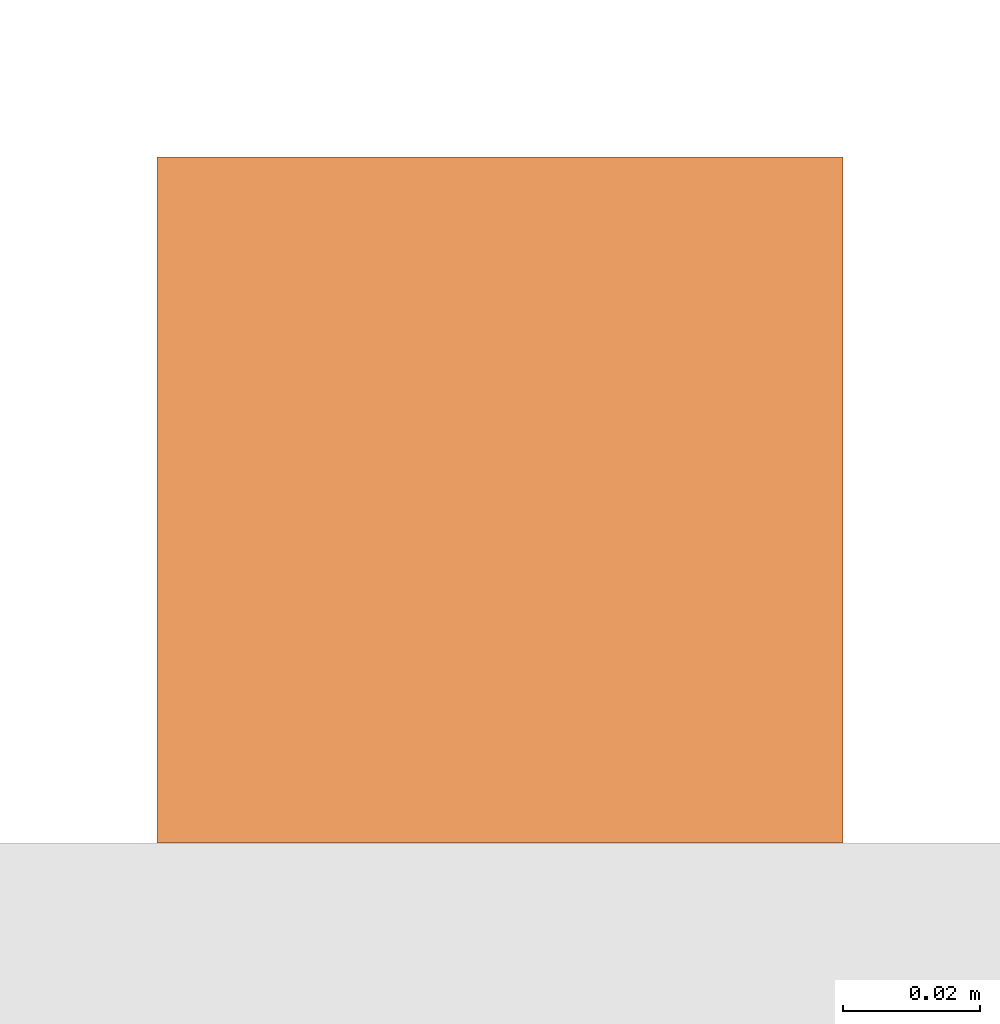
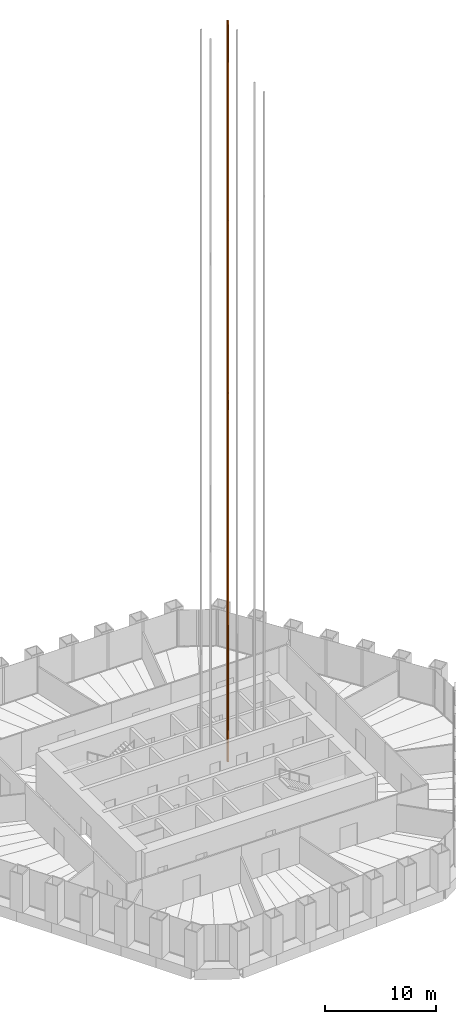
# One storey, part 18 of 20: 1 proxy.
"""IFC4 building model written with IfcOpenShell, lengths in metres."""

import ifcopenshell
import ifcopenshell.guid

model = None  # the IFC model being written
_history = None  # IfcOwnerHistory: only IFC2X3 demands one
_inside = {}  # id of a spatial element -> (the spatial element, [elements in it])
_under = {}  # id of a project, library or spatial element -> (it, [spatial elements below it])
_declared = {}  # id of a project -> (the project, [libraries it declares])
_typed = {}  # id of a type object -> (the type object, [elements of that type])
_made_of = {}  # id of a material, layer set ... -> (it, [elements and type objects made of it])


def new_model(schema):
    """Start an empty IFC model of exactly this schema.

    Asked for "IFC4X3", IfcOpenShell would pick the latest addendum, in which some entities
    have other attributes; the version numbers below select the first issue.
    IFC2X3 requires an IfcOwnerHistory on every rooted entity: one is made here for all.
    """
    global model, _history
    if schema == "IFC4X3":
        model = ifcopenshell.file(schema_version=(4, 3, 0, 0))
    else:
        model = ifcopenshell.file(schema=schema)
    _inside.clear()
    _under.clear()
    _declared.clear()
    _typed.clear()
    _made_of.clear()
    _history = None
    if model.schema == "IFC2X3":
        org = make("IfcOrganization", Name="unknown")
        user = make(
            "IfcPersonAndOrganization",
            ThePerson=make("IfcPerson", FamilyName="unknown"),
            TheOrganization=org,
        )
        app = make(
            "IfcApplication",
            ApplicationDeveloper=org,
            Version="unknown",
            ApplicationFullName="unknown",
            ApplicationIdentifier="unknown",
        )
        _history = make(
            "IfcOwnerHistory",
            OwningUser=user,
            OwningApplication=app,
            ChangeAction="ADDED",
            CreationDate=0,
        )
    return model


def make(cls, **values):
    """One entity of the class cls with the attributes given. An attribute that is None is left unset."""
    return model.create_entity(
        cls, **{name: value for name, value in values.items() if value is not None}
    )


def rooted(cls, **values):
    """An entity with a GlobalId (a new one), such as an element, a storey or a relation."""
    return make(cls, GlobalId=ifcopenshell.guid.new(), OwnerHistory=_history, **values)


def si_unit(unit_type, name, prefix=None):
    """IfcSIUnit, for example si_unit("LENGTHUNIT", "METRE", prefix="MILLI")."""
    return make("IfcSIUnit", UnitType=unit_type, Prefix=prefix, Name=name)


def assignment(units):
    """IfcUnitAssignment: the units of a project."""
    return None if units is None else make("IfcUnitAssignment", Units=units)


def point(xyz):
    """IfcCartesianPoint."""
    return None if xyz is None else make("IfcCartesianPoint", Coordinates=xyz)


def direction(xyz):
    """IfcDirection."""
    return None if xyz is None else make("IfcDirection", DirectionRatios=xyz)


def frame(location, z_axis=None, x_axis=None):
    """IfcAxis2Placement3D, a coordinate frame: its origin and axes. An axis left out is left unset."""
    return make(
        "IfcAxis2Placement3D",
        Location=point(location),
        Axis=direction(z_axis),
        RefDirection=direction(x_axis),
    )


def frame_2d(location, x_axis=None):
    """IfcAxis2Placement2D, a coordinate frame in the plane: its origin and x axis."""
    return make(
        "IfcAxis2Placement2D", Location=point(location), RefDirection=direction(x_axis)
    )


def origin():
    """The frame at (0, 0, 0) with its axes left unset."""
    return frame((0.0, 0.0, 0.0))


def origin_2d():
    """The frame at (0, 0) in the plane with its x axis left unset."""
    return frame_2d((0.0, 0.0))


def place(relative_to, where):
    """IfcLocalPlacement: puts the frame where relative to a parent placement (None: the world)."""
    return make(
        "IfcLocalPlacement", PlacementRelTo=relative_to, RelativePlacement=where
    )


def context(
    kind, dimensions, precision=None, world=None, true_north=None, identifier=None
):
    """IfcGeometricRepresentationContext, for example the 3D "Model" context."""
    return make(
        "IfcGeometricRepresentationContext",
        ContextIdentifier=identifier,
        ContextType=kind,
        CoordinateSpaceDimension=dimensions,
        Precision=precision,
        WorldCoordinateSystem=world,
        TrueNorth=true_north,
    )


def subcontext(parent, identifier, kind, view, scale=None):
    """IfcGeometricRepresentationSubContext, for example "Body" below "Model"."""
    return make(
        "IfcGeometricRepresentationSubContext",
        ContextIdentifier=identifier,
        ContextType=kind,
        ParentContext=parent,
        TargetScale=scale,
        TargetView=view,
    )


def project(units=None, contexts=None):
    """IfcProject with its units and contexts."""
    return rooted(
        "IfcProject",
        Name="project",
        RepresentationContexts=contexts,
        UnitsInContext=assignment(units),
    )


def spatial(cls, under=None, at=None, **own):
    """A site, building, storey or space (cls), placed at a placement, below another one or the project."""
    s = rooted(cls, ObjectPlacement=at, **own)
    if under is not None:
        _under.setdefault(under.id(), (under, []))[1].append(s)
    return s


def profile(cls, at=None, kind="AREA", **sizes):
    """A parametric profile (cls). Its sizes go by their IFC names, for example OverallWidth=200.0."""
    return make(cls, ProfileType=kind, Position=at, **sizes)


def rectangle(**sizes):
    """IfcRectangleProfileDef."""
    return profile("IfcRectangleProfileDef", **sizes)


def extrude(swept, where, along, depth):
    """IfcExtrudedAreaSolid: the profile swept, set in the frame where, extruded along a direction by depth."""
    return make(
        "IfcExtrudedAreaSolid",
        SweptArea=swept,
        Position=where,
        ExtrudedDirection=direction(along),
        Depth=depth,
    )


def shape(context_of_items, identifier, shape_type, items):
    """IfcShapeRepresentation: the items that make up one representation, for example the "Body"."""
    return make(
        "IfcShapeRepresentation",
        ContextOfItems=context_of_items,
        RepresentationIdentifier=identifier,
        RepresentationType=shape_type,
        Items=items,
    )


def material(Name=None, Category=None):
    """IfcMaterial."""
    return make("IfcMaterial", Name=Name, Category=Category)


def made_of(thing, what):
    """Note that an element or type object is made of a material, layer set ...; save() writes the relation."""
    if what is not None:
        _made_of.setdefault(what.id(), (what, []))[1].append(thing)
    return thing


def type_object(cls, material=None, **own):
    """A type object (cls), such as IfcWallType, which elements share."""
    return made_of(rooted(cls, **own), material)


def element(
    cls,
    number,
    at=None,
    inside=None,
    cuts=None,
    type_object=None,
    material=None,
    context=None,
    identifier="Body",
    shape_type=None,
    held_by="IfcProductDefinitionShape",
    body=None,
    shapes=None,
    **own,
):
    """One element of the class cls, such as IfcWall. Its Tag is "e" and its number.

    at: its placement. inside: the storey or other place that contains it. cuts: it is an
    opening in that element (IfcRelVoidsElement). A single representation is given by context,
    identifier, shape_type and body (its items); several are given by shapes. held_by: the class
    of the entity that holds the representations. save() writes the other relations.
    """
    e = rooted(cls, Tag="e%d" % number, ObjectPlacement=at, **own)
    if body is not None:
        shapes = [shape(context, identifier, shape_type, body)]
    if shapes is not None:
        e.Representation = make(held_by, Representations=shapes)
    if inside is not None:
        _inside.setdefault(inside.id(), (inside, []))[1].append(e)
    if cuts is not None:
        rooted(
            "IfcRelVoidsElement", RelatingBuildingElement=cuts, RelatedOpeningElement=e
        )
    if type_object is not None:
        _typed.setdefault(type_object.id(), (type_object, []))[1].append(e)
    return made_of(e, material)


def aggregate(whole, parts):
    """IfcRelAggregates: a whole, such as a stair, and the parts it consists of."""
    return rooted("IfcRelAggregates", RelatingObject=whole, RelatedObjects=parts)


def save(model, path):
    """Write the relations noted so far, then the file.

    IfcRelAggregates (storeys below a building ...), IfcRelContainedInSpatialStructure (elements
    in a storey), IfcRelDefinesByType, IfcRelAssociatesMaterial and IfcRelDeclares: one each for
    every whole, place, type object, material and project.
    """
    for whole, parts in _under.values():
        aggregate(whole, parts)
    for where, things in _inside.values():
        rooted(
            "IfcRelContainedInSpatialStructure",
            RelatedElements=things,
            RelatingStructure=where,
        )
    for kind, things in _typed.values():
        rooted("IfcRelDefinesByType", RelatedObjects=things, RelatingType=kind)
    for what, things in _made_of.values():
        rooted("IfcRelAssociatesMaterial", RelatedObjects=things, RelatingMaterial=what)
    for by, libraries in _declared.values():
        rooted("IfcRelDeclares", RelatingContext=by, RelatedDefinitions=libraries)
    model.write(path)


model = new_model("IFC4")

# Units and contexts
model_context = context("Model", 3, precision=1e-05, world=origin(), true_north=direction((0.0, 1.0)))
body_context = subcontext(model_context, "Body", "Model", "MODEL_VIEW")
ifc_project = project(units=[si_unit("LENGTHUNIT", "METRE"), si_unit("AREAUNIT", "SQUARE_METRE"), si_unit("VOLUMEUNIT", "CUBIC_METRE"), si_unit("PLANEANGLEUNIT", "RADIAN"), si_unit("MASSUNIT", "GRAM", prefix="KILO")], contexts=[model_context])

# Site, building, storey
site_placement = place(None, origin())
site = spatial("IfcSite", under=ifc_project, at=site_placement, CompositionType="ELEMENT")
building_placement = place(site_placement, origin())
building = spatial("IfcBuilding", under=site, at=building_placement, Name="Qingtian Harvest Tower", CompositionType="ELEMENT")
storey_placement = place(building_placement, frame((0.0, 0.0, 180.39990234375)))
storey = spatial("IfcBuildingStorey", under=building, at=storey_placement, Name="L38", CompositionType="ELEMENT", Elevation=180.39990234375)

# Proxy
ifc_material = material(Name="Steel SN490B", Category="steel")
building_element_proxy_type = type_object("IfcBuildingElementProxyType", Name="Lift guide rail LR1", PredefinedType="NOTDEFINED", material=ifc_material)
proxy_placement = place(storey_placement, frame((4.699951171875, 4.375, 0.0), z_axis=(0.0, 0.0, 1.0), x_axis=(1.0, 0.0, 0.0)))
element("IfcBuildingElementProxy", 1, at=proxy_placement, inside=storey, type_object=building_element_proxy_type, Name="Lift PLC2 guide rail 2", PredefinedType="NOTDEFINED", context=body_context, shape_type="SweptSolid", body=[
    extrude(rectangle(XDim=0.10009765625, YDim=0.10009765625, at=origin_2d()), origin(), (0.0, 0.0, 1.0), 81.60009765625),
])

save(model, "model.ifc")
